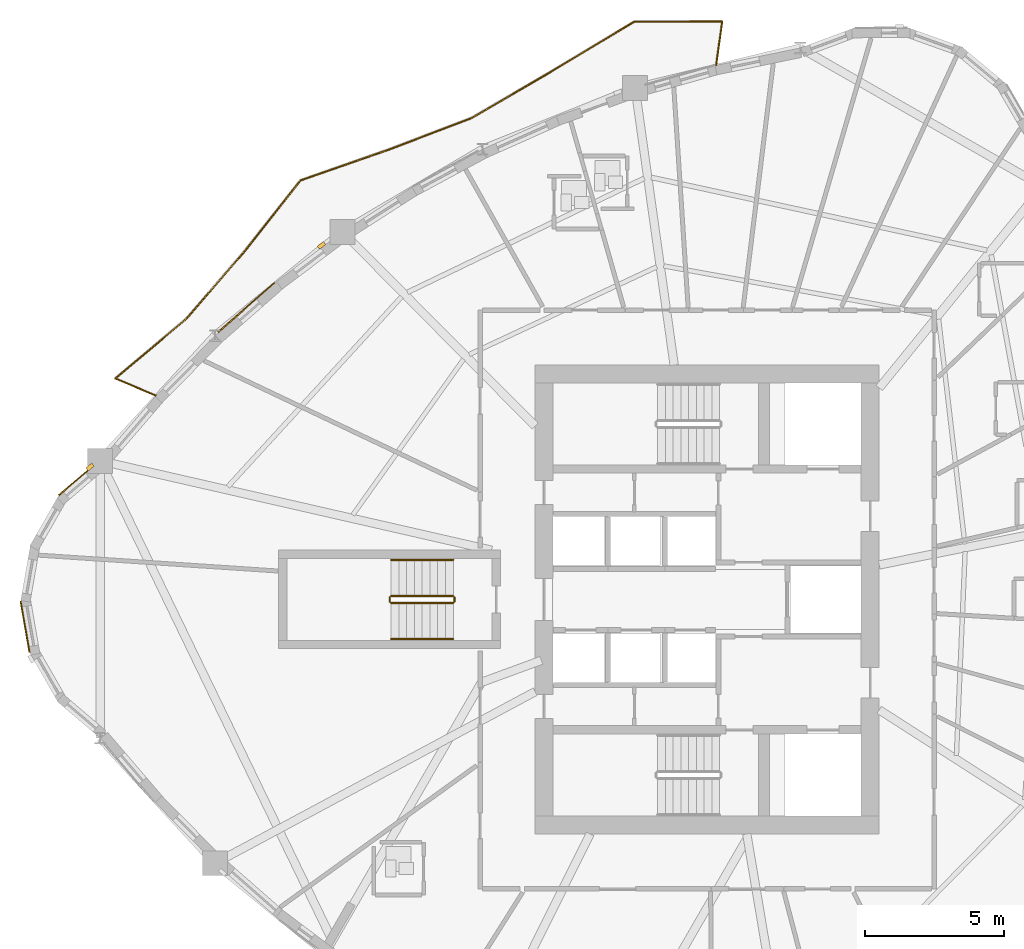
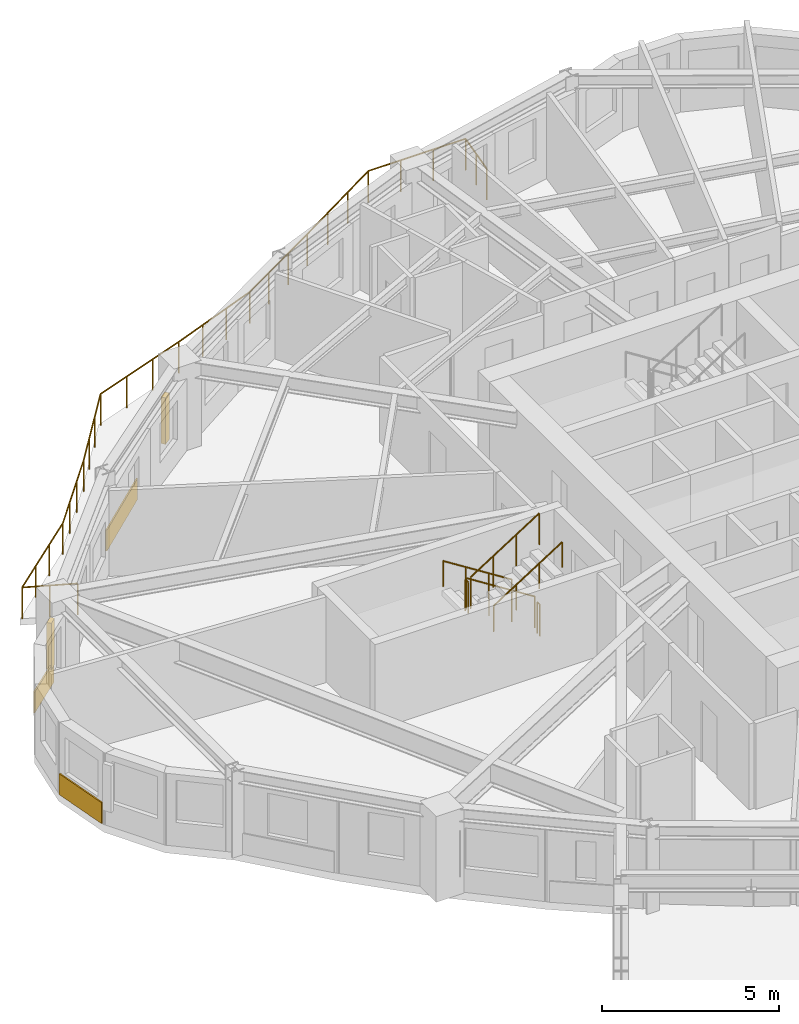
# One storey, part 14 of 17: 7 railings, 3 coverings, 2 shading devices.
"""IFC4 building model written with IfcOpenShell, lengths in metres."""

from ifc_helpers import new_model, si_unit, direction, frame, origin, origin_2d, place, context, subcontext, project, spatial, rectangle, circle, extrude, source, transform, mapped, material, layer, layer_set, type_object, element, save


model = new_model("IFC4")

# Units and contexts
model_context = context("Model", 3, precision=1e-05, world=origin(), true_north=direction((0.0, 1.0)))
body_context = subcontext(model_context, "Body", "Model", "MODEL_VIEW")
ifc_project = project(units=[si_unit("LENGTHUNIT", "METRE"), si_unit("AREAUNIT", "SQUARE_METRE"), si_unit("VOLUMEUNIT", "CUBIC_METRE"), si_unit("PLANEANGLEUNIT", "RADIAN"), si_unit("MASSUNIT", "GRAM", prefix="KILO")], contexts=[model_context])

# Site, building, storey
site_placement = place(None, origin())
site = spatial("IfcSite", under=ifc_project, at=site_placement, CompositionType="ELEMENT")
building_placement = place(site_placement, origin())
building = spatial("IfcBuilding", under=site, at=building_placement, Name="Qafzar Sky-Pleat Residences", CompositionType="ELEMENT")
storey_placement = place(building_placement, frame((0.0, 0.0, 115.199951171875)))
storey = spatial("IfcBuildingStorey", under=building, at=storey_placement, Name="L34", CompositionType="ELEMENT", Elevation=115.199951171875)

# Shading devices
ifc_material_1 = material(Name="Honed Riyadh limestone solar fin", Category="masonry")
ifc_layer_1 = layer(ifc_material_1, 0.139892578125)
ifc_layer_set_1 = layer_set([ifc_layer_1], Name="Honed Riyadh limestone solar fin")
shading_device_type = type_object("IfcShadingDeviceType", Name="SHD-FIN-STONE", PredefinedType="SHUTTER", material=ifc_layer_set_1)
shared_shape_1 = source(origin(), body_context, "Body", "SweptSolid", [
    extrude(rectangle(XDim=0.139892578125, YDim=0.280029296875, at=origin_2d()), origin(), (0.0, 0.0, 1.0), 1.60009765625),
])
for number, where, z_axis, x_axis, name in (
    (1, (8.1103515625, 30.771728515625, 0.60009765625), (0.0, 0.0, 1.0), (-0.648602943999, 0.761126941473, 0.0), "L34 Limestone Solar Fin 1"),
    (2, (16.45361328125, 38.758544921875, 0.60009765625), (0.0, 0.0, 1.0), (-0.60217974117, 0.798360544694, 0.0), "L34 Limestone Solar Fin 45"),
):
    element("IfcShadingDevice", number, at=place(storey_placement, frame(where, z_axis=z_axis, x_axis=x_axis)), inside=storey, type_object=shading_device_type, Name=name, PredefinedType="SHUTTER", context=body_context, shape_type="MappedRepresentation", body=[
        mapped(shared_shape_1, transform((0.0, 0.0, 0.0), x_axis=(1.0, 0.0, 0.0), y_axis=(0.0, 1.0, 0.0), z_axis=(0.0, 0.0, 1.0), scale=1.0)),
    ])

# Coverings
ifc_material_2 = material(Name="Honed Riyadh Tuwaiq limestone cladding", Category="masonry")
ifc_layer_2 = layer(ifc_material_2, 0.044921875)
ifc_layer_set_2 = layer_set([ifc_layer_2], Name="Honed Riyadh Tuwaiq limestone cladding")
covering_type = type_object("IfcCoveringType", Name="COV-CLAD-STONE", PredefinedType="CLADDING", material=ifc_layer_set_2)
shared_shape_2 = source(origin(), body_context, "Body", "SweptSolid", [
    extrude(rectangle(XDim=1.62451171875, YDim=0.044921875, at=origin_2d()), origin(), (0.0, 0.0, 1.0), 0.719970703125),
])
covering_1_placement = place(storey_placement, frame((7.597900390625, 30.278564453125, 0.02001953125), z_axis=(0.0, 0.0, 1.0), x_axis=(-0.761154082005, -0.648571093595, 0.0)))
element("IfcCovering", 3, at=covering_1_placement, inside=storey, type_object=covering_type, Name="L34 Riyadh Limestone Spandrel Cladding 1", PredefinedType="CLADDING", context=body_context, shape_type="MappedRepresentation", body=[
    mapped(shared_shape_2, transform((0.0, 0.0, 0.0), x_axis=(1.0, 0.0, 0.0), y_axis=(0.0, 1.0, 0.0), z_axis=(0.0, 0.0, 1.0), scale=1.0)),
])
shared_shape_3 = source(origin(), body_context, "Body", "SweptSolid", [
    extrude(rectangle(XDim=1.865478515625, YDim=0.044921875, at=origin_2d()), origin(), (0.0, 0.0, 1.0), 0.719970703125),
])
covering_2_placement = place(storey_placement, frame((5.77001953125, 25.0126953125, 0.02001953125), z_axis=(0.0, 0.0, 1.0), x_axis=(0.172122886012, -0.985075485489, 0.0)))
element("IfcCovering", 4, at=covering_2_placement, inside=storey, type_object=covering_type, Name="L34 Riyadh Limestone Spandrel Cladding 4", PredefinedType="CLADDING", context=body_context, shape_type="MappedRepresentation", body=[
    mapped(shared_shape_3, transform((0.0, 0.0, 0.0), x_axis=(1.0, 0.0, 0.0), y_axis=(0.0, 1.0, 0.0), z_axis=(0.0, 0.0, 1.0), scale=1.0)),
])

# Railing
ifc_material_3 = material(Name="Laminated glass and bronze steel balustrade", Category="steel")
railing_type_1 = type_object("IfcRailingType", Name="RAIL-BAL-1100", PredefinedType="BALUSTRADE", material=ifc_material_3)
shared_shape_4 = source(origin(), body_context, "Body", "SweptSolid", [
    extrude(circle(Radius=0.02392578125, at=origin_2d()), frame((0.0, 0.0, 1.076171875), z_axis=(0.137370226227, 0.990519773122, 0.0), x_axis=(-0.990519773122, 0.137370226227, 0.0)), (0.0, 0.0, 1.0), 1.578125),
    extrude(circle(Radius=0.02392578125, at=origin_2d()), frame((0.216796875, 1.563232421875, 1.076171875), z_axis=(-0.999999854605, -0.000539249594, 0.0), x_axis=(0.000539249594, -0.999999854605, 0.0)), (0.0, 0.0, 1.0), 3.169189453125),
    extrude(circle(Radius=0.02392578125, at=origin_2d()), frame((-2.952392578125, 1.5615234375, 1.076171875), z_axis=(-0.857129256153, -0.515101386377, 0.0), x_axis=(0.515101386377, -0.857129256153, 0.0)), (0.0, 0.0, 1.0), 3.55615234375),
    extrude(circle(Radius=0.02392578125, at=origin_2d()), frame((-6.00048828125, -0.270263671875, 1.076171875), z_axis=(-0.863518062616, -0.504317911179, 0.0), x_axis=(0.504317911179, -0.863518062616, 0.0)), (0.0, 0.0, 1.0), 3.260498046875),
    extrude(circle(Radius=0.02392578125, at=origin_2d()), frame((-8.81591796875, -1.91455078125, 1.076171875), z_axis=(-0.934610988639, -0.355671618089, 0.0), x_axis=(0.355671618089, -0.934610988639, 0.0)), (0.0, 0.0, 1.0), 3.167724609375),
    extrude(circle(Radius=0.02392578125, at=origin_2d()), frame((-11.776611328125, -3.041259765625, 1.076171875), z_axis=(-0.944059337016, -0.32977563311, 0.0), x_axis=(0.32977563311, -0.944059337016, 0.0)), (0.0, 0.0, 1.0), 3.386962890625),
    extrude(circle(Radius=0.02392578125, at=origin_2d()), frame((-14.97412109375, -4.158203125, 1.076171875), z_axis=(-0.620199507218, -0.784444116076, 0.0), x_axis=(0.784444116076, -0.620199507218, 0.0)), (0.0, 0.0, 1.0), 3.29248046875),
    extrude(circle(Radius=0.02392578125, at=origin_2d()), frame((-17.01611328125, -6.740966796875, 1.076171875), z_axis=(-0.652430402864, -0.757848645456, 0.0), x_axis=(0.757848645456, -0.652430402864, 0.0)), (0.0, 0.0, 1.0), 3.149658203125),
    extrude(circle(Radius=0.02392578125, at=origin_2d()), frame((-19.071044921875, -9.1279296875, 1.076171875), z_axis=(-0.765579311456, -0.643341525064, 0.0), x_axis=(0.643341525064, -0.765579311456, 0.0)), (0.0, 0.0, 1.0), 3.371337890625),
    extrude(circle(Radius=0.02392578125, at=origin_2d()), frame((-21.652099609375, -11.296875, 1.076171875), z_axis=(0.922103580948, -0.386943130193, 0.0), x_axis=(0.386943130193, 0.922103580948, 0.0)), (0.0, 0.0, 1.0), 1.577880859375),
    extrude(circle(Radius=0.02099609375, at=origin_2d()), origin(), (0.0, 0.0, 1.0), 1.052001953125),
    extrude(circle(Radius=0.02099609375, at=origin_2d()), frame((0.1083984375, 0.78173828125, 0.0)), (0.0, 0.0, 1.0), 1.052001953125),
    extrude(circle(Radius=0.02099609375, at=origin_2d()), frame((0.216796875, 1.563232421875, 0.0)), (0.0, 0.0, 1.0), 1.052001953125),
    extrude(circle(Radius=0.02099609375, at=origin_2d()), frame((-0.839599609375, 1.562744140625, 0.0)), (0.0, 0.0, 1.0), 1.052001953125),
    extrude(circle(Radius=0.02099609375, at=origin_2d()), frame((-1.89599609375, 1.56201171875, 0.0)), (0.0, 0.0, 1.0), 1.052001953125),
    extrude(circle(Radius=0.02099609375, at=origin_2d()), frame((-2.952392578125, 1.5615234375, 0.0)), (0.0, 0.0, 1.0), 1.052001953125),
    extrude(circle(Radius=0.02099609375, at=origin_2d()), frame((-3.968505859375, 0.950927734375, 0.0)), (0.0, 0.0, 1.0), 1.052001953125),
    extrude(circle(Radius=0.02099609375, at=origin_2d()), frame((-4.984375, 0.34033203125, 0.0)), (0.0, 0.0, 1.0), 1.052001953125),
    extrude(circle(Radius=0.02099609375, at=origin_2d()), frame((-6.00048828125, -0.270263671875, 0.0)), (0.0, 0.0, 1.0), 1.052001953125),
    extrude(circle(Radius=0.02099609375, at=origin_2d()), frame((-6.93896484375, -0.818359375, 0.0)), (0.0, 0.0, 1.0), 1.052001953125),
    extrude(circle(Radius=0.02099609375, at=origin_2d()), frame((-7.87744140625, -1.366455078125, 0.0)), (0.0, 0.0, 1.0), 1.052001953125),
    extrude(circle(Radius=0.02099609375, at=origin_2d()), frame((-8.81591796875, -1.91455078125, 0.0)), (0.0, 0.0, 1.0), 1.052001953125),
    extrude(circle(Radius=0.02099609375, at=origin_2d()), frame((-9.802734375, -2.2900390625, 0.0)), (0.0, 0.0, 1.0), 1.052001953125),
    extrude(circle(Radius=0.02099609375, at=origin_2d()), frame((-10.789794921875, -2.665771484375, 0.0)), (0.0, 0.0, 1.0), 1.052001953125),
    extrude(circle(Radius=0.02099609375, at=origin_2d()), frame((-11.776611328125, -3.041259765625, 0.0)), (0.0, 0.0, 1.0), 1.052001953125),
    extrude(circle(Radius=0.02099609375, at=origin_2d()), frame((-12.842529296875, -3.41357421875, 0.0)), (0.0, 0.0, 1.0), 1.052001953125),
    extrude(circle(Radius=0.02099609375, at=origin_2d()), frame((-13.908203125, -3.785888671875, 0.0)), (0.0, 0.0, 1.0), 1.052001953125),
    extrude(circle(Radius=0.02099609375, at=origin_2d()), frame((-14.97412109375, -4.158203125, 0.0)), (0.0, 0.0, 1.0), 1.052001953125),
    extrude(circle(Radius=0.02099609375, at=origin_2d()), frame((-15.65478515625, -5.01904296875, 0.0)), (0.0, 0.0, 1.0), 1.052001953125),
    extrude(circle(Radius=0.02099609375, at=origin_2d()), frame((-16.33544921875, -5.880126953125, 0.0)), (0.0, 0.0, 1.0), 1.052001953125),
    extrude(circle(Radius=0.02099609375, at=origin_2d()), frame((-17.01611328125, -6.740966796875, 0.0)), (0.0, 0.0, 1.0), 1.052001953125),
    extrude(circle(Radius=0.02099609375, at=origin_2d()), frame((-17.701171875, -7.53662109375, 0.0)), (0.0, 0.0, 1.0), 1.052001953125),
    extrude(circle(Radius=0.02099609375, at=origin_2d()), frame((-18.385986328125, -8.332275390625, 0.0)), (0.0, 0.0, 1.0), 1.052001953125),
    extrude(circle(Radius=0.02099609375, at=origin_2d()), frame((-19.071044921875, -9.1279296875, 0.0)), (0.0, 0.0, 1.0), 1.052001953125),
    extrude(circle(Radius=0.02099609375, at=origin_2d()), frame((-19.931396484375, -9.850830078125, 0.0)), (0.0, 0.0, 1.0), 1.052001953125),
    extrude(circle(Radius=0.02099609375, at=origin_2d()), frame((-20.791748046875, -10.573974609375, 0.0)), (0.0, 0.0, 1.0), 1.052001953125),
    extrude(circle(Radius=0.02099609375, at=origin_2d()), frame((-21.652099609375, -11.296875, 0.0)), (0.0, 0.0, 1.0), 1.052001953125),
    extrude(circle(Radius=0.02099609375, at=origin_2d()), frame((-20.924560546875, -11.60205078125, 0.0)), (0.0, 0.0, 1.0), 1.052001953125),
    extrude(circle(Radius=0.02099609375, at=origin_2d()), frame((-20.197021484375, -11.907470703125, 0.0)), (0.0, 0.0, 1.0), 1.052001953125),
])
railing_1_placement = place(storey_placement, frame((30.67431640625, 45.2587890625, 0.0)))
element("IfcRailing", 5, at=railing_1_placement, inside=storey, type_object=railing_type_1, Name="L34 Pleated Balcony 2 Balustrade", PredefinedType="BALUSTRADE", context=body_context, shape_type="MappedRepresentation", body=[
    mapped(shared_shape_4, transform((0.0, 0.0, 0.0), x_axis=(1.0, 0.0, 0.0), y_axis=(0.0, 1.0, 0.0), z_axis=(0.0, 0.0, 1.0), scale=1.0)),
])

# Covering
shared_shape_5 = source(origin(), body_context, "Body", "SweptSolid", [
    extrude(rectangle(XDim=2.699462890625, YDim=0.044921875, at=origin_2d()), origin(), (0.0, 0.0, 1.0), 0.719970703125),
])
covering_3_placement = place(storey_placement, frame((13.7431640625, 36.5244140625, 0.02001953125), z_axis=(0.0, 0.0, 1.0), x_axis=(-0.751462399385, -0.659775918256, 0.0)))
element("IfcCovering", 6, at=covering_3_placement, inside=storey, type_object=covering_type, Name="L34 Riyadh Limestone Spandrel Cladding 46", PredefinedType="CLADDING", context=body_context, shape_type="MappedRepresentation", body=[
    mapped(shared_shape_5, transform((0.0, 0.0, 0.0), x_axis=(1.0, 0.0, 0.0), y_axis=(0.0, 1.0, 0.0), z_axis=(0.0, 0.0, 1.0), scale=1.0)),
])

# Railings
ifc_material_4 = material(Name="Painted Steel S355 stair guardrail", Category="steel")
railing_type_2 = type_object("IfcRailingType", Name="RAIL-STAIR-GUARD", PredefinedType="GUARDRAIL", material=ifc_material_4)
shared_shape_6 = source(origin(), body_context, "Body", "SweptSolid", [
    extrude(circle(Radius=0.02392578125, at=origin_2d()), frame((0.0, 0.0, 1.076171875), z_axis=(0.0, -1.0, 0.0), x_axis=(1.0, 0.0, 0.0)), (0.0, 0.0, 1.0), 0.14990234375),
    extrude(circle(Radius=0.02099609375, at=origin_2d()), origin(), (0.0, 0.0, 1.0), 1.052001953125),
    extrude(circle(Radius=0.02099609375, at=origin_2d()), frame((0.0, -0.14990234375, 0.0)), (0.0, 0.0, 1.0), 1.052001953125),
])
for number, where, name in (
    (7, (18.909912109375, 26.074951171875, 1.60009765625), "L34 ST3 stair guard 2"),
    (8, (21.25, 26.074951171875, 0.0), "L34 ST3 stair guard 4"),
):
    element("IfcRailing", number, at=place(storey_placement, frame(where)), inside=storey, type_object=railing_type_2, Name=name, PredefinedType="GUARDRAIL", context=body_context, shape_type="MappedRepresentation", body=[
        mapped(shared_shape_6, transform((0.0, 0.0, 0.0), x_axis=(1.0, 0.0, 0.0), y_axis=(0.0, 1.0, 0.0), z_axis=(0.0, 0.0, 1.0), scale=1.0)),
    ])
shared_shape_7 = source(origin(), body_context, "Body", "SweptSolid", [
    extrude(circle(Radius=0.02392578125, at=origin_2d()), frame((0.0, 0.0, 1.076171875), z_axis=(0.8442293374, 0.0, 0.53598211339), x_axis=(0.0, 1.0, 0.0)), (0.0, 0.0, 1.0), 2.6533203125),
    extrude(circle(Radius=0.02099609375, at=origin_2d()), origin(), (0.0, 0.0, 1.0), 1.052001953125),
    extrude(circle(Radius=0.02099609375, at=origin_2d()), frame((0.74658203125, 0.0, 0.47412109375)), (0.0, 0.0, 1.0), 1.052001953125),
    extrude(circle(Radius=0.02099609375, at=origin_2d()), frame((1.493408203125, 0.0, 0.947998046875)), (0.0, 0.0, 1.0), 1.052001953125),
    extrude(circle(Radius=0.02099609375, at=origin_2d()), frame((2.239990234375, 0.0, 1.422119140625)), (0.0, 0.0, 1.0), 1.052001953125),
])
railing_2_placement = place(storey_placement, frame((18.9599609375, 25.875, 1.77783203125)))
element("IfcRailing", 9, at=railing_2_placement, inside=storey, type_object=railing_type_2, Name="L34 ST3 stair guard 3", PredefinedType="GUARDRAIL", context=body_context, shape_type="MappedRepresentation", body=[
    mapped(shared_shape_7, transform((0.0, 0.0, 0.0), x_axis=(1.0, 0.0, 0.0), y_axis=(0.0, 1.0, 0.0), z_axis=(0.0, 0.0, 1.0), scale=1.0)),
])
ifc_material_5 = material(Name="Brushed stainless steel handrail", Category="steel")
railing_type_3 = type_object("IfcRailingType", Name="RAIL-STAIR-HAND", PredefinedType="HANDRAIL", material=ifc_material_5)
shared_shape_8 = source(origin(), body_context, "Body", "SweptSolid", [
    extrude(circle(Radius=0.02392578125, at=origin_2d()), frame((0.0, 0.0, 0.8759765625), z_axis=(0.8442293374, 0.0, 0.53598211339), x_axis=(0.0, 1.0, 0.0)), (0.0, 0.0, 1.0), 2.6533203125),
    extrude(circle(Radius=0.02099609375, at=origin_2d()), origin(), (0.0, 0.0, 1.0), 0.851806640625),
    extrude(circle(Radius=0.02099609375, at=origin_2d()), frame((0.74658203125, 0.0, 0.47412109375)), (0.0, 0.0, 1.0), 0.851806640625),
    extrude(circle(Radius=0.02099609375, at=origin_2d()), frame((1.493408203125, 0.0, 0.947998046875)), (0.0, 0.0, 1.0), 0.851806640625),
    extrude(circle(Radius=0.02099609375, at=origin_2d()), frame((2.239990234375, 0.0, 1.422119140625)), (0.0, 0.0, 1.0), 0.851806640625),
])
railing_3_placement = place(storey_placement, frame((18.9599609375, 24.574951171875, 1.77783203125)))
element("IfcRailing", 10, at=railing_3_placement, inside=storey, type_object=railing_type_3, Name="L34 ST3 stair handrail 2", PredefinedType="HANDRAIL", context=body_context, shape_type="MappedRepresentation", body=[
    mapped(shared_shape_8, transform((0.0, 0.0, 0.0), x_axis=(1.0, 0.0, 0.0), y_axis=(0.0, 1.0, 0.0), z_axis=(0.0, 0.0, 1.0), scale=1.0)),
])
shared_shape_9 = source(origin(), body_context, "Body", "SweptSolid", [
    extrude(circle(Radius=0.02392578125, at=origin_2d()), frame((0.0, 0.0, 1.076171875), z_axis=(-0.84418770128, 0.0, 0.536047689118), x_axis=(0.0, -1.0, 0.0)), (0.0, 0.0, 1.0), 2.6533203125),
    extrude(circle(Radius=0.02099609375, at=origin_2d()), origin(), (0.0, 0.0, 1.0), 1.052001953125),
    extrude(circle(Radius=0.02099609375, at=origin_2d()), frame((-0.74658203125, 0.0, 0.47412109375)), (0.0, 0.0, 1.0), 1.052001953125),
    extrude(circle(Radius=0.02099609375, at=origin_2d()), frame((-1.493408203125, 0.0, 0.9482421875)), (0.0, 0.0, 1.0), 1.052001953125),
    extrude(circle(Radius=0.02099609375, at=origin_2d()), frame((-2.239990234375, 0.0, 1.42236328125)), (0.0, 0.0, 1.0), 1.052001953125),
])
railing_4_placement = place(storey_placement, frame((21.199951171875, 26.125, 0.177734375)))
element("IfcRailing", 11, at=railing_4_placement, inside=storey, type_object=railing_type_2, Name="L34 ST3 stair guard 1", PredefinedType="GUARDRAIL", context=body_context, shape_type="MappedRepresentation", body=[
    mapped(shared_shape_9, transform((0.0, 0.0, 0.0), x_axis=(1.0, 0.0, 0.0), y_axis=(0.0, 1.0, 0.0), z_axis=(0.0, 0.0, 1.0), scale=1.0)),
])
shared_shape_10 = source(origin(), body_context, "Body", "SweptSolid", [
    extrude(circle(Radius=0.02392578125, at=origin_2d()), frame((0.0, 0.0, 0.8759765625), z_axis=(-0.84418770128, 0.0, 0.536047689118), x_axis=(0.0, -1.0, 0.0)), (0.0, 0.0, 1.0), 2.6533203125),
    extrude(circle(Radius=0.02099609375, at=origin_2d()), origin(), (0.0, 0.0, 1.0), 0.851806640625),
    extrude(circle(Radius=0.02099609375, at=origin_2d()), frame((-0.74658203125, 0.0, 0.47412109375)), (0.0, 0.0, 1.0), 0.851806640625),
    extrude(circle(Radius=0.02099609375, at=origin_2d()), frame((-1.493408203125, 0.0, 0.9482421875)), (0.0, 0.0, 1.0), 0.851806640625),
    extrude(circle(Radius=0.02099609375, at=origin_2d()), frame((-2.239990234375, 0.0, 1.42236328125)), (0.0, 0.0, 1.0), 0.851806640625),
])
railing_5_placement = place(storey_placement, frame((21.199951171875, 27.425048828125, 0.177734375)))
element("IfcRailing", 12, at=railing_5_placement, inside=storey, type_object=railing_type_3, Name="L34 ST3 stair handrail 1", PredefinedType="HANDRAIL", context=body_context, shape_type="MappedRepresentation", body=[
    mapped(shared_shape_10, transform((0.0, 0.0, 0.0), x_axis=(1.0, 0.0, 0.0), y_axis=(0.0, 1.0, 0.0), z_axis=(0.0, 0.0, 1.0), scale=1.0)),
])

save(model, "model.ifc")
